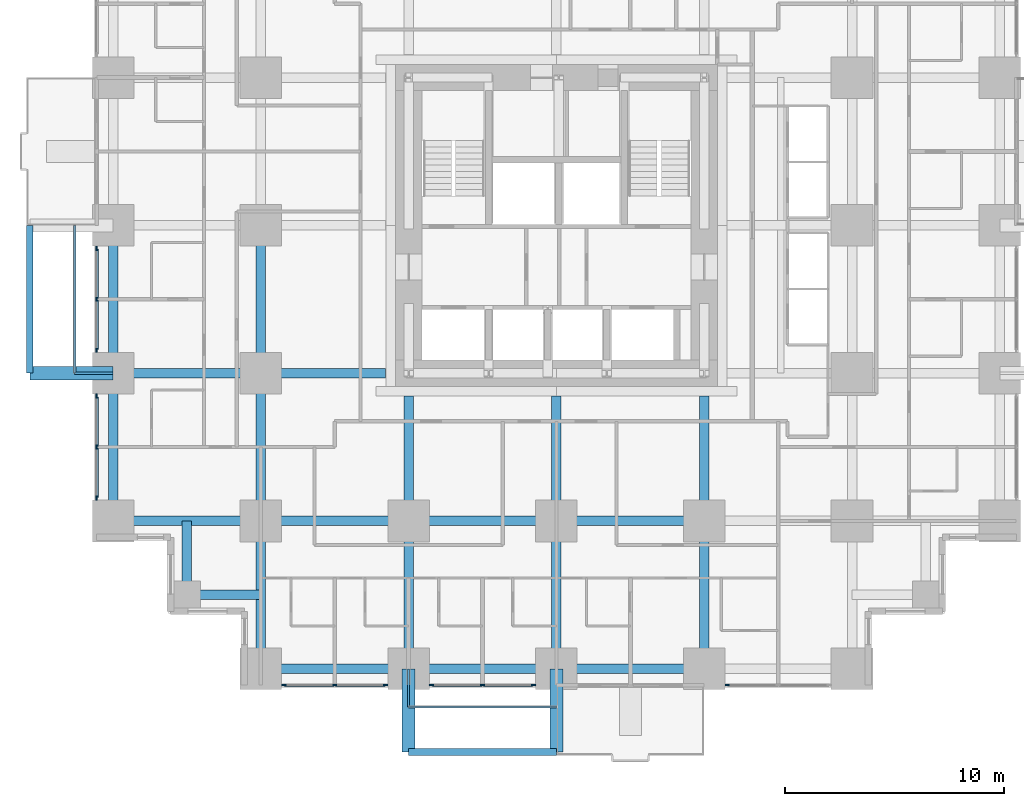
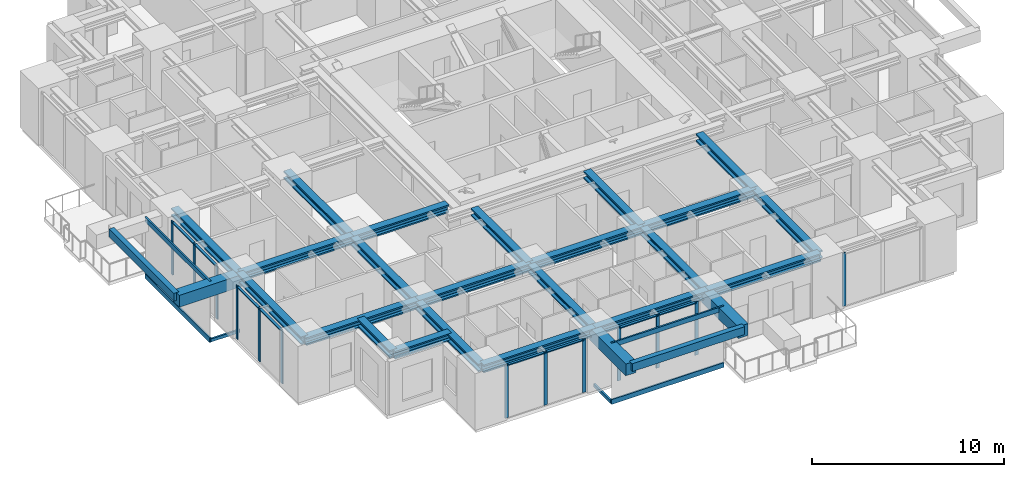
# One storey, part 2 of 14: 27 beams, 27 members, 5 elements without a shape of their own.
"""IFC4 building model written with IfcOpenShell, lengths in metres."""

from ifc_helpers import new_model, si_unit, direction, frame, origin, origin_2d, place, context, subcontext, project, spatial, rectangle, hollow_rectangle, i_section, extrude, material, material_profile, profile_set, type_object, element, aggregate, save


model = new_model("IFC4")

# Units and contexts
model_context = context("Model", 3, precision=1e-05, world=origin(), true_north=direction((0.0, 1.0)))
body_context = subcontext(model_context, "Body", "Model", "MODEL_VIEW")
ifc_project = project(units=[si_unit("LENGTHUNIT", "METRE"), si_unit("AREAUNIT", "SQUARE_METRE"), si_unit("VOLUMEUNIT", "CUBIC_METRE"), si_unit("PLANEANGLEUNIT", "RADIAN"), si_unit("MASSUNIT", "GRAM", prefix="KILO")], contexts=[model_context])

# Site, building, storey
site_placement = place(None, origin())
site = spatial("IfcSite", under=ifc_project, at=site_placement, CompositionType="ELEMENT")
building_placement = place(site_placement, origin())
building = spatial("IfcBuilding", under=site, at=building_placement, Name="Nyansa Garden Tower", CompositionType="ELEMENT")
storey_placement = place(building_placement, frame((0.0, 0.0, 21.60009765625)))
storey = spatial("IfcBuildingStorey", under=building, at=storey_placement, Name="L05", CompositionType="ELEMENT", Elevation=21.60009765625)

# Beams
ifc_material_1 = material(Name="Concrete C70/85", Category="concrete")
ifc_material_profile_1 = material_profile(ifc_material_1, rectangle(XDim=0.60009765625, YDim=0.75, at=origin_2d()), Name="RC 600x750")
ifc_profile_set_1 = profile_set([ifc_material_profile_1], Name="Concrete C70/85")
beam_type_1 = type_object("IfcBeamType", Name="Balcony cantilever beam CB1 RC 600x750", PredefinedType="BEAM", material=ifc_profile_set_1)
for number, where, z_axis, x_axis, name in (
    (1, (13.5, 0.0, 2.98486328125), (0.0, -1.0, 0.0), (1.0, 0.0, 0.0), "Balcony cantilever beam L06"),
    (2, (20.25, 0.0, 2.98486328125), (0.0, -1.0, 0.0), (1.0, 0.0, 0.0), "Balcony cantilever beam L06"),
    (3, (0.0, 13.5, 2.98486328125), (-1.0, 0.0, 0.0), (0.0, -1.0, 0.0), "Balcony cantilever beam L06"),
):
    element("IfcBeam", number, at=place(storey_placement, frame(where, z_axis=z_axis, x_axis=x_axis)), inside=storey, type_object=beam_type_1, Name=name, PredefinedType="BEAM", context=body_context, shape_type="SweptSolid", body=[
        extrude(rectangle(XDim=0.60009765625, YDim=0.75, at=origin_2d()), origin(), (0.0, 0.0, 1.0), 3.800048828125),
    ])
ifc_material_2 = material(Name="Concrete C70/85", Category="concrete")
ifc_material_profile_2 = material_profile(ifc_material_2, rectangle(XDim=0.300048828125, YDim=0.5, at=origin_2d()), Name="RC 300x500")
ifc_profile_set_2 = profile_set([ifc_material_profile_2], Name="Concrete C70/85")
beam_type_2 = type_object("IfcBeamType", Name="Balcony edge beam BE1 RC 300x500", PredefinedType="BEAM", material=ifc_profile_set_2)
for number, where, z_axis, x_axis, name in (
    (4, (13.5, -3.800048828125, 3.10986328125), (1.0, 0.0, 0.0), (0.0, 1.0, 0.0), "Balcony edge beam L06"),
    (5, (-3.800048828125, 13.5, 3.10986328125), (0.0, 1.0, 0.0), (-1.0, 0.0, 0.0), "Balcony edge beam L06"),
):
    element("IfcBeam", number, at=place(storey_placement, frame(where, z_axis=z_axis, x_axis=x_axis)), inside=storey, type_object=beam_type_2, Name=name, PredefinedType="BEAM", context=body_context, shape_type="SweptSolid", body=[
        extrude(rectangle(XDim=0.300048828125, YDim=0.5, at=origin_2d()), origin(), (0.0, 0.0, 1.0), 6.75),
    ])

# Curtain wall, members
ifc_material_3 = material(Name="Black anodised aluminium, dark tinted double glazing", Category="aluminium")
curtain_wall_type = type_object("IfcCurtainWallType", Name="Inner skin curtain wall ISW-A", PredefinedType="USERDEFINED", material=ifc_material_3)
curtain_wall_1_placement = place(storey_placement, origin())
curtain_wall_1 = element("IfcCurtainWall", 6, at=curtain_wall_1_placement, inside=storey, type_object=curtain_wall_type, Name="Inner skin curtain wall L05 W", ObjectType="UNITISED CURTAIN WALL", PredefinedType="USERDEFINED")
ifc_material_4 = material(Name="Black anodised aluminium", Category="aluminium")
ifc_material_profile_3 = material_profile(ifc_material_4, rectangle(XDim=0.06494140625, YDim=0.199951171875, at=origin_2d()), Name="Mullion 200x65")
ifc_profile_set_3 = profile_set([ifc_material_profile_3], Name="Black anodised aluminium")
member_type_1 = type_object("IfcMemberType", Name="Mullion ISW-A 200x65", PredefinedType="MULLION", material=ifc_profile_set_3)
member_1_placement = place(storey_placement, frame((-0.75, 19.199951171875, 0.0), z_axis=(0.0, 0.0, 1.0), x_axis=(1.0, 0.0, 0.0)))
member_1 = element("IfcMember", 7, at=member_1_placement, type_object=member_type_1, Name="ISW-A mullion 1", PredefinedType="MULLION", context=body_context, shape_type="SweptSolid", body=[
    extrude(rectangle(XDim=0.06494140625, YDim=0.199951171875, at=origin_2d()), origin(), (0.0, 0.0, 1.0), 3.375),
])
member_2_placement = place(storey_placement, frame((-0.75, 16.875, 0.0), z_axis=(0.0, 0.0, 1.0), x_axis=(1.0, 0.0, 0.0)))
member_2 = element("IfcMember", 8, at=member_2_placement, type_object=member_type_1, Name="ISW-A mullion 2", PredefinedType="MULLION", context=body_context, shape_type="SweptSolid", body=[
    extrude(rectangle(XDim=0.06494140625, YDim=0.199951171875, at=origin_2d()), origin(), (0.0, 0.0, 1.0), 3.375),
])
member_3_placement = place(storey_placement, frame((-0.75, 14.550048828125, 0.0), z_axis=(0.0, 0.0, 1.0), x_axis=(1.0, 0.0, 0.0)))
member_3 = element("IfcMember", 9, at=member_3_placement, type_object=member_type_1, Name="ISW-A mullion 3", PredefinedType="MULLION", context=body_context, shape_type="SweptSolid", body=[
    extrude(rectangle(XDim=0.06494140625, YDim=0.199951171875, at=origin_2d()), origin(), (0.0, 0.0, 1.0), 3.375),
])

curtain_wall_2_placement = place(storey_placement, origin())
curtain_wall_2 = element("IfcCurtainWall", 10, at=curtain_wall_2_placement, inside=storey, type_object=curtain_wall_type, Name="Inner skin curtain wall L05 W", ObjectType="UNITISED CURTAIN WALL", PredefinedType="USERDEFINED")
member_4_placement = place(storey_placement, frame((-0.75, 12.449951171875, 0.0), z_axis=(0.0, 0.0, 1.0), x_axis=(1.0, 0.0, 0.0)))
member_4 = element("IfcMember", 11, at=member_4_placement, type_object=member_type_1, Name="ISW-A mullion 1", PredefinedType="MULLION", context=body_context, shape_type="SweptSolid", body=[
    extrude(rectangle(XDim=0.06494140625, YDim=0.199951171875, at=origin_2d()), origin(), (0.0, 0.0, 1.0), 3.375),
])
member_5_placement = place(storey_placement, frame((-0.75, 10.125, 0.0), z_axis=(0.0, 0.0, 1.0), x_axis=(1.0, 0.0, 0.0)))
member_5 = element("IfcMember", 12, at=member_5_placement, type_object=member_type_1, Name="ISW-A mullion 2", PredefinedType="MULLION", context=body_context, shape_type="SweptSolid", body=[
    extrude(rectangle(XDim=0.06494140625, YDim=0.199951171875, at=origin_2d()), origin(), (0.0, 0.0, 1.0), 3.375),
])
member_6_placement = place(storey_placement, frame((-0.75, 7.800048828125, 0.0), z_axis=(0.0, 0.0, 1.0), x_axis=(1.0, 0.0, 0.0)))
member_6 = element("IfcMember", 13, at=member_6_placement, type_object=member_type_1, Name="ISW-A mullion 3", PredefinedType="MULLION", context=body_context, shape_type="SweptSolid", body=[
    extrude(rectangle(XDim=0.06494140625, YDim=0.199951171875, at=origin_2d()), origin(), (0.0, 0.0, 1.0), 3.375),
])

curtain_wall_3_placement = place(storey_placement, origin())
curtain_wall_3 = element("IfcCurtainWall", 14, at=curtain_wall_3_placement, inside=storey, type_object=curtain_wall_type, Name="Inner skin curtain wall L05 S", ObjectType="UNITISED CURTAIN WALL", PredefinedType="USERDEFINED")
member_7_placement = place(storey_placement, frame((7.800048828125, -0.75, 0.0), z_axis=(0.0, 0.0, 1.0), x_axis=(0.0, 1.0, 0.0)))
member_7 = element("IfcMember", 15, at=member_7_placement, type_object=member_type_1, Name="ISW-A mullion 1", PredefinedType="MULLION", context=body_context, shape_type="SweptSolid", body=[
    extrude(rectangle(XDim=0.06494140625, YDim=0.199951171875, at=origin_2d()), origin(), (0.0, 0.0, 1.0), 3.375),
])
member_8_placement = place(storey_placement, frame((10.125, -0.75, 0.0), z_axis=(0.0, 0.0, 1.0), x_axis=(0.0, 1.0, 0.0)))
member_8 = element("IfcMember", 16, at=member_8_placement, type_object=member_type_1, Name="ISW-A mullion 2", PredefinedType="MULLION", context=body_context, shape_type="SweptSolid", body=[
    extrude(rectangle(XDim=0.06494140625, YDim=0.199951171875, at=origin_2d()), origin(), (0.0, 0.0, 1.0), 3.375),
])
member_9_placement = place(storey_placement, frame((12.449951171875, -0.75, 0.0), z_axis=(0.0, 0.0, 1.0), x_axis=(0.0, 1.0, 0.0)))
member_9 = element("IfcMember", 17, at=member_9_placement, type_object=member_type_1, Name="ISW-A mullion 3", PredefinedType="MULLION", context=body_context, shape_type="SweptSolid", body=[
    extrude(rectangle(XDim=0.06494140625, YDim=0.199951171875, at=origin_2d()), origin(), (0.0, 0.0, 1.0), 3.375),
])

curtain_wall_4_placement = place(storey_placement, origin())
curtain_wall_4 = element("IfcCurtainWall", 18, at=curtain_wall_4_placement, inside=storey, type_object=curtain_wall_type, Name="Inner skin curtain wall L05 S", ObjectType="UNITISED CURTAIN WALL", PredefinedType="USERDEFINED")
member_10_placement = place(storey_placement, frame((14.550048828125, -0.75, 0.0), z_axis=(0.0, 0.0, 1.0), x_axis=(0.0, 1.0, 0.0)))
member_10 = element("IfcMember", 19, at=member_10_placement, type_object=member_type_1, Name="ISW-A mullion 1", PredefinedType="MULLION", context=body_context, shape_type="SweptSolid", body=[
    extrude(rectangle(XDim=0.06494140625, YDim=0.199951171875, at=origin_2d()), origin(), (0.0, 0.0, 1.0), 3.375),
])
member_11_placement = place(storey_placement, frame((16.875, -0.75, 0.0), z_axis=(0.0, 0.0, 1.0), x_axis=(0.0, 1.0, 0.0)))
member_11 = element("IfcMember", 20, at=member_11_placement, type_object=member_type_1, Name="ISW-A mullion 2", PredefinedType="MULLION", context=body_context, shape_type="SweptSolid", body=[
    extrude(rectangle(XDim=0.06494140625, YDim=0.199951171875, at=origin_2d()), origin(), (0.0, 0.0, 1.0), 3.375),
])
member_12_placement = place(storey_placement, frame((19.199951171875, -0.75, 0.0), z_axis=(0.0, 0.0, 1.0), x_axis=(0.0, 1.0, 0.0)))
member_12 = element("IfcMember", 21, at=member_12_placement, type_object=member_type_1, Name="ISW-A mullion 3", PredefinedType="MULLION", context=body_context, shape_type="SweptSolid", body=[
    extrude(rectangle(XDim=0.06494140625, YDim=0.199951171875, at=origin_2d()), origin(), (0.0, 0.0, 1.0), 3.375),
])

# Curtain wall, member
curtain_wall_5_placement = place(storey_placement, origin())
curtain_wall_5 = element("IfcCurtainWall", 22, at=curtain_wall_5_placement, inside=storey, type_object=curtain_wall_type, Name="Inner skin curtain wall L05 S", ObjectType="UNITISED CURTAIN WALL", PredefinedType="USERDEFINED")
member_13_placement = place(storey_placement, frame((28.050048828125, -0.75, 0.0), z_axis=(0.0, 0.0, 1.0), x_axis=(0.0, 1.0, 0.0)))
member_13 = element("IfcMember", 23, at=member_13_placement, type_object=member_type_1, Name="ISW-A mullion 1", PredefinedType="MULLION", context=body_context, shape_type="SweptSolid", body=[
    extrude(rectangle(XDim=0.06494140625, YDim=0.199951171875, at=origin_2d()), origin(), (0.0, 0.0, 1.0), 3.375),
])
aggregate(curtain_wall_5, [member_13])

# Members
ifc_material_5 = material(Name="Steel S355, black powder coated", Category="steel")
ifc_material_profile_4 = material_profile(ifc_material_5, hollow_rectangle(XDim=0.10009765625, YDim=0.199951171875, WallThickness=0.008056640625, at=origin_2d()), Name="RHS 200x100x8")
ifc_profile_set_4 = profile_set([ifc_material_profile_4], Name="Steel S355, black powder coated")
member_type_2 = type_object("IfcMemberType", Name="Outer skin bracket arm RHS 200x100x8", PredefinedType="USERDEFINED", material=ifc_profile_set_4)
for number, where, z_axis, x_axis, name in (
    (24, (0.0, 13.5, -0.375), (-1.0, 0.0, 0.0), (0.0, -1.0, 0.0), "Outer skin bracket arm"),
    (25, (13.5, 0.0, -0.375), (0.0, -1.0, 0.0), (1.0, 0.0, 0.0), "Outer skin bracket arm"),
):
    element("IfcMember", number, at=place(storey_placement, frame(where, z_axis=z_axis, x_axis=x_axis)), inside=storey, type_object=member_type_2, Name=name, ObjectType="OUTER SKIN BRACKET", PredefinedType="USERDEFINED", context=body_context, shape_type="SweptSolid", body=[
        extrude(hollow_rectangle(XDim=0.10009765625, YDim=0.199951171875, WallThickness=0.008056640625, at=origin_2d()), origin(), (0.0, 0.0, 1.0), 1.75),
    ])
ifc_material_6 = material(Name="Steel S355, black powder coated", Category="steel")
ifc_material_profile_5 = material_profile(ifc_material_6, hollow_rectangle(XDim=0.10009765625, YDim=0.300048828125, WallThickness=0.010009765625, at=origin_2d()), Name="RHS 300x100x10")
ifc_profile_set_5 = profile_set([ifc_material_profile_5], Name="Steel S355, black powder coated")
member_type_3 = type_object("IfcMemberType", Name="Outer skin rail RHS 300x100x10", PredefinedType="USERDEFINED", material=ifc_profile_set_5)
for number, where, z_axis, x_axis, name in (
    (26, (-1.75, 13.5, -0.375), (0.0, 1.0, 0.0), (-1.0, 0.0, 0.0), "Outer skin rail L05"),
    (27, (-1.75, 13.5, 3.224853515625), (0.0, 1.0, 0.0), (-1.0, 0.0, 0.0), "Outer skin rail L05 head"),
    (28, (13.5, -1.75, -0.375), (1.0, 0.0, 0.0), (0.0, 1.0, 0.0), "Outer skin rail L05"),
    (29, (13.5, -1.75, 3.224853515625), (1.0, 0.0, 0.0), (0.0, 1.0, 0.0), "Outer skin rail L05 head"),
):
    element("IfcMember", number, at=place(storey_placement, frame(where, z_axis=z_axis, x_axis=x_axis)), inside=storey, type_object=member_type_3, Name=name, ObjectType="OUTER SKIN RAIL", PredefinedType="USERDEFINED", context=body_context, shape_type="SweptSolid", body=[
        extrude(hollow_rectangle(XDim=0.10009765625, YDim=0.300048828125, WallThickness=0.010009765625, at=origin_2d()), origin(), (0.0, 0.0, 1.0), 6.75),
    ])

# Beams
ifc_material_7 = material(Name="Steel S355", Category="steel")
ifc_material_profile_6 = material_profile(ifc_material_7, i_section(OverallWidth=0.431884765625, OverallDepth=0.498046875, WebThickness=0.0556640625, FlangeThickness=0.0888671875, FilletRadius=0.014892578125, at=origin_2d()), Name="HD 400x744")
ifc_profile_set_6 = profile_set([ifc_material_profile_6], Name="Steel S355")
beam_type_3 = type_object("IfcBeamType", Name="Steel beam SBA1-744 HD 400x744", PredefinedType="BEAM", material=ifc_profile_set_6)
for number, where, z_axis, x_axis, name in (
    (30, (0.0, 6.75, 3.1259765625), (1.0, 0.0, 0.0), (0.0, 1.0, 0.0), "Steel beam 2/E-3/E L06"),
    (31, (0.0, 13.5, 3.1259765625), (1.0, 0.0, 0.0), (0.0, 1.0, 0.0), "Steel beam 2/F-3/F L06"),
    (32, (6.75, 0.0, 3.1259765625), (0.0, 1.0, 0.0), (-1.0, 0.0, 0.0), "Steel beam 3/D-3/E L06"),
    (33, (6.75, 6.75, 3.1259765625), (0.0, 1.0, 0.0), (-1.0, 0.0, 0.0), "Steel beam 3/E-3/F L06"),
    (34, (6.75, 6.75, 3.1259765625), (1.0, 0.0, 0.0), (0.0, 1.0, 0.0), "Steel beam 3/E-4/E L06"),
    (35, (6.75, 13.5, 3.1259765625), (0.0, 1.0, 0.0), (-1.0, 0.0, 0.0), "Steel beam 3/F-3/G L06"),
):
    element("IfcBeam", number, at=place(storey_placement, frame(where, z_axis=z_axis, x_axis=x_axis)), inside=storey, type_object=beam_type_3, Name=name, PredefinedType="BEAM", context=body_context, shape_type="SweptSolid", body=[
        extrude(i_section(OverallWidth=0.431884765625, OverallDepth=0.498046875, WebThickness=0.0556640625, FlangeThickness=0.0888671875, FilletRadius=0.014892578125, at=origin_2d()), origin(), (0.0, 0.0, 1.0), 6.75),
    ])
beam_1_placement = place(storey_placement, frame((6.75, 13.5, 3.1259765625), z_axis=(1.0, 0.0, 0.0), x_axis=(0.0, 1.0, 0.0)))
element("IfcBeam", 36, at=beam_1_placement, inside=storey, type_object=beam_type_3, Name="Steel beam 3/F-12.450/F L06", PredefinedType="BEAM", context=body_context, shape_type="SweptSolid", body=[
    extrude(i_section(OverallWidth=0.431884765625, OverallDepth=0.498046875, WebThickness=0.0556640625, FlangeThickness=0.0888671875, FilletRadius=0.014892578125, at=origin_2d()), origin(), (0.0, 0.0, 1.0), 5.699951171875),
])
beam_2_placement = place(storey_placement, frame((13.5, 0.0, 3.1259765625), z_axis=(0.0, 1.0, 0.0), x_axis=(-1.0, 0.0, 0.0)))
element("IfcBeam", 37, at=beam_2_placement, inside=storey, type_object=beam_type_3, Name="Steel beam 4/D-4/E L06", PredefinedType="BEAM", context=body_context, shape_type="SweptSolid", body=[
    extrude(i_section(OverallWidth=0.431884765625, OverallDepth=0.498046875, WebThickness=0.0556640625, FlangeThickness=0.0888671875, FilletRadius=0.014892578125, at=origin_2d()), origin(), (0.0, 0.0, 1.0), 6.75),
])
beam_3_placement = place(storey_placement, frame((13.5, 6.75, 3.1259765625), z_axis=(0.0, 1.0, 0.0), x_axis=(-1.0, 0.0, 0.0)))
element("IfcBeam", 38, at=beam_3_placement, inside=storey, type_object=beam_type_3, Name="Steel beam 4/E-4/12.450 L06", PredefinedType="BEAM", context=body_context, shape_type="SweptSolid", body=[
    extrude(i_section(OverallWidth=0.431884765625, OverallDepth=0.498046875, WebThickness=0.0556640625, FlangeThickness=0.0888671875, FilletRadius=0.014892578125, at=origin_2d()), origin(), (0.0, 0.0, 1.0), 5.699951171875),
])
for number, where, z_axis, x_axis, name in (
    (39, (13.5, 6.75, 3.1259765625), (1.0, 0.0, 0.0), (0.0, 1.0, 0.0), "Steel beam 4/E-5/E L06"),
    (40, (20.25, 0.0, 3.1259765625), (0.0, 1.0, 0.0), (-1.0, 0.0, 0.0), "Steel beam 5/D-5/E L06"),
):
    element("IfcBeam", number, at=place(storey_placement, frame(where, z_axis=z_axis, x_axis=x_axis)), inside=storey, type_object=beam_type_3, Name=name, PredefinedType="BEAM", context=body_context, shape_type="SweptSolid", body=[
        extrude(i_section(OverallWidth=0.431884765625, OverallDepth=0.498046875, WebThickness=0.0556640625, FlangeThickness=0.0888671875, FilletRadius=0.014892578125, at=origin_2d()), origin(), (0.0, 0.0, 1.0), 6.75),
    ])
beam_4_placement = place(storey_placement, frame((20.25, 6.75, 3.1259765625), z_axis=(0.0, 1.0, 0.0), x_axis=(-1.0, 0.0, 0.0)))
element("IfcBeam", 41, at=beam_4_placement, inside=storey, type_object=beam_type_3, Name="Steel beam 5/E-5/12.450 L06", PredefinedType="BEAM", context=body_context, shape_type="SweptSolid", body=[
    extrude(i_section(OverallWidth=0.431884765625, OverallDepth=0.498046875, WebThickness=0.0556640625, FlangeThickness=0.0888671875, FilletRadius=0.014892578125, at=origin_2d()), origin(), (0.0, 0.0, 1.0), 5.699951171875),
])
for number, where, z_axis, x_axis, name in (
    (42, (20.25, 6.75, 3.1259765625), (1.0, 0.0, 0.0), (0.0, 1.0, 0.0), "Steel beam 5/E-6/E L06"),
    (43, (27.0, 0.0, 3.1259765625), (0.0, 1.0, 0.0), (-1.0, 0.0, 0.0), "Steel beam 6/D-6/E L06"),
):
    element("IfcBeam", number, at=place(storey_placement, frame(where, z_axis=z_axis, x_axis=x_axis)), inside=storey, type_object=beam_type_3, Name=name, PredefinedType="BEAM", context=body_context, shape_type="SweptSolid", body=[
        extrude(i_section(OverallWidth=0.431884765625, OverallDepth=0.498046875, WebThickness=0.0556640625, FlangeThickness=0.0888671875, FilletRadius=0.014892578125, at=origin_2d()), origin(), (0.0, 0.0, 1.0), 6.75),
    ])
beam_5_placement = place(storey_placement, frame((27.0, 6.75, 3.1259765625), z_axis=(0.0, 1.0, 0.0), x_axis=(-1.0, 0.0, 0.0)))
element("IfcBeam", 44, at=beam_5_placement, inside=storey, type_object=beam_type_3, Name="Steel beam 6/E-6/12.450 L06", PredefinedType="BEAM", context=body_context, shape_type="SweptSolid", body=[
    extrude(i_section(OverallWidth=0.431884765625, OverallDepth=0.498046875, WebThickness=0.0556640625, FlangeThickness=0.0888671875, FilletRadius=0.014892578125, at=origin_2d()), origin(), (0.0, 0.0, 1.0), 5.699951171875),
])
ifc_material_8 = material(Name="Steel S355", Category="steel")
ifc_material_profile_7 = material_profile(ifc_material_8, i_section(OverallWidth=0.431884765625, OverallDepth=0.498046875, WebThickness=0.0556640625, FlangeThickness=0.0888671875, FilletRadius=0.014892578125, at=origin_2d()), Name="HD 400x744")
ifc_profile_set_7 = profile_set([ifc_material_profile_7], Name="Steel S355")
beam_type_4 = type_object("IfcBeamType", Name="Steel beam SEBA-744 HD 400x744", PredefinedType="BEAM", material=ifc_profile_set_7)
for number, where, z_axis, x_axis, name in (
    (45, (0.0, 6.75, 3.1259765625), (0.0, 1.0, 0.0), (-1.0, 0.0, 0.0), "Steel edge beam 2/E-2/F L06"),
    (46, (0.0, 13.5, 3.1259765625), (0.0, 1.0, 0.0), (-1.0, 0.0, 0.0), "Steel edge beam 2/F-2/G L06"),
    (47, (6.75, 0.0, 3.1259765625), (1.0, 0.0, 0.0), (0.0, 1.0, 0.0), "Steel edge beam 3/D-4/D L06"),
    (48, (13.5, 0.0, 3.1259765625), (1.0, 0.0, 0.0), (0.0, 1.0, 0.0), "Steel edge beam 4/D-5/D L06"),
    (49, (20.25, 0.0, 3.1259765625), (1.0, 0.0, 0.0), (0.0, 1.0, 0.0), "Steel edge beam 5/D-6/D L06"),
):
    element("IfcBeam", number, at=place(storey_placement, frame(where, z_axis=z_axis, x_axis=x_axis)), inside=storey, type_object=beam_type_4, Name=name, PredefinedType="BEAM", context=body_context, shape_type="SweptSolid", body=[
        extrude(i_section(OverallWidth=0.431884765625, OverallDepth=0.498046875, WebThickness=0.0556640625, FlangeThickness=0.0888671875, FilletRadius=0.014892578125, at=origin_2d()), origin(), (0.0, 0.0, 1.0), 6.75),
    ])
ifc_material_9 = material(Name="Steel S355", Category="steel")
ifc_material_profile_8 = material_profile(ifc_material_9, i_section(OverallWidth=0.431884765625, OverallDepth=0.498046875, WebThickness=0.0556640625, FlangeThickness=0.0888671875, FilletRadius=0.014892578125, at=origin_2d()), Name="HD 400x744")
ifc_profile_set_8 = profile_set([ifc_material_profile_8], Name="Steel S355")
beam_type_5 = type_object("IfcBeamType", Name="Steel beam SSB1-744 HD 400x744", PredefinedType="BEAM", material=ifc_profile_set_8)
for number, where, z_axis, x_axis, name in (
    (50, (3.375, 3.375, 3.1259765625), (0.0, 1.0, 0.0), (-1.0, 0.0, 0.0), "Steel step beam 3.375/3.375 L06"),
    (51, (3.375, 3.375, 3.1259765625), (1.0, 0.0, 0.0), (0.0, 1.0, 0.0), "Steel step beam 3.375/3.375 L06"),
):
    element("IfcBeam", number, at=place(storey_placement, frame(where, z_axis=z_axis, x_axis=x_axis)), inside=storey, type_object=beam_type_5, Name=name, PredefinedType="BEAM", context=body_context, shape_type="SweptSolid", body=[
        extrude(i_section(OverallWidth=0.431884765625, OverallDepth=0.498046875, WebThickness=0.0556640625, FlangeThickness=0.0888671875, FilletRadius=0.014892578125, at=origin_2d()), origin(), (0.0, 0.0, 1.0), 3.375),
    ])

# Member
ifc_material_10 = material(Name="Black anodised aluminium", Category="aluminium")
ifc_material_profile_9 = material_profile(ifc_material_10, rectangle(XDim=0.14990234375, YDim=0.06494140625, at=origin_2d()), Name="Transom 150x65")
ifc_profile_set_9 = profile_set([ifc_material_profile_9], Name="Black anodised aluminium")
member_type_4 = type_object("IfcMemberType", Name="Transom ISW-A 150x65", PredefinedType="USERDEFINED", material=ifc_profile_set_9)
member_14_placement = place(storey_placement, frame((-0.75, 19.16748046875, 3.34228515625), z_axis=(0.0, -1.0, 0.0), x_axis=(1.0, 0.0, 0.0)))
member_14 = element("IfcMember", 52, at=member_14_placement, type_object=member_type_4, Name="ISW-A transom 1", ObjectType="TRANSOM", PredefinedType="USERDEFINED", context=body_context, shape_type="SweptSolid", body=[
    extrude(rectangle(XDim=0.14990234375, YDim=0.06494140625, at=origin_2d()), origin(), (0.0, 0.0, 1.0), 2.260009765625),
])

member_15_placement = place(storey_placement, frame((-0.75, 16.842529296875, 3.34228515625), z_axis=(0.0, -1.0, 0.0), x_axis=(1.0, 0.0, 0.0)))
member_15 = element("IfcMember", 53, at=member_15_placement, type_object=member_type_4, Name="ISW-A transom 2", ObjectType="TRANSOM", PredefinedType="USERDEFINED", context=body_context, shape_type="SweptSolid", body=[
    extrude(rectangle(XDim=0.14990234375, YDim=0.06494140625, at=origin_2d()), origin(), (0.0, 0.0, 1.0), 2.260009765625),
])

aggregate(curtain_wall_1, [member_1, member_2, member_3, member_14, member_15])

member_16_placement = place(storey_placement, frame((-0.75, 12.41748046875, 3.34228515625), z_axis=(0.0, -1.0, 0.0), x_axis=(1.0, 0.0, 0.0)))
member_16 = element("IfcMember", 54, at=member_16_placement, type_object=member_type_4, Name="ISW-A transom 1", ObjectType="TRANSOM", PredefinedType="USERDEFINED", context=body_context, shape_type="SweptSolid", body=[
    extrude(rectangle(XDim=0.14990234375, YDim=0.06494140625, at=origin_2d()), origin(), (0.0, 0.0, 1.0), 2.260009765625),
])

member_17_placement = place(storey_placement, frame((-0.75, 10.092529296875, 3.34228515625), z_axis=(0.0, -1.0, 0.0), x_axis=(1.0, 0.0, 0.0)))
member_17 = element("IfcMember", 55, at=member_17_placement, type_object=member_type_4, Name="ISW-A transom 2", ObjectType="TRANSOM", PredefinedType="USERDEFINED", context=body_context, shape_type="SweptSolid", body=[
    extrude(rectangle(XDim=0.14990234375, YDim=0.06494140625, at=origin_2d()), origin(), (0.0, 0.0, 1.0), 2.260009765625),
])

aggregate(curtain_wall_2, [member_4, member_5, member_6, member_16, member_17])

member_18_placement = place(storey_placement, frame((7.83251953125, -0.75, 3.34228515625), z_axis=(1.0, 0.0, 0.0), x_axis=(0.0, 1.0, 0.0)))
member_18 = element("IfcMember", 56, at=member_18_placement, type_object=member_type_4, Name="ISW-A transom 1", ObjectType="TRANSOM", PredefinedType="USERDEFINED", context=body_context, shape_type="SweptSolid", body=[
    extrude(rectangle(XDim=0.14990234375, YDim=0.06494140625, at=origin_2d()), origin(), (0.0, 0.0, 1.0), 2.260009765625),
])

member_19_placement = place(storey_placement, frame((10.157470703125, -0.75, 3.34228515625), z_axis=(1.0, 0.0, 0.0), x_axis=(0.0, 1.0, 0.0)))
member_19 = element("IfcMember", 57, at=member_19_placement, type_object=member_type_4, Name="ISW-A transom 2", ObjectType="TRANSOM", PredefinedType="USERDEFINED", context=body_context, shape_type="SweptSolid", body=[
    extrude(rectangle(XDim=0.14990234375, YDim=0.06494140625, at=origin_2d()), origin(), (0.0, 0.0, 1.0), 2.260009765625),
])

aggregate(curtain_wall_3, [member_7, member_8, member_9, member_18, member_19])

member_20_placement = place(storey_placement, frame((14.58251953125, -0.75, 3.34228515625), z_axis=(1.0, 0.0, 0.0), x_axis=(0.0, 1.0, 0.0)))
member_20 = element("IfcMember", 58, at=member_20_placement, type_object=member_type_4, Name="ISW-A transom 1", ObjectType="TRANSOM", PredefinedType="USERDEFINED", context=body_context, shape_type="SweptSolid", body=[
    extrude(rectangle(XDim=0.14990234375, YDim=0.06494140625, at=origin_2d()), origin(), (0.0, 0.0, 1.0), 2.260009765625),
])

member_21_placement = place(storey_placement, frame((16.907470703125, -0.75, 3.34228515625), z_axis=(1.0, 0.0, 0.0), x_axis=(0.0, 1.0, 0.0)))
member_21 = element("IfcMember", 59, at=member_21_placement, type_object=member_type_4, Name="ISW-A transom 2", ObjectType="TRANSOM", PredefinedType="USERDEFINED", context=body_context, shape_type="SweptSolid", body=[
    extrude(rectangle(XDim=0.14990234375, YDim=0.06494140625, at=origin_2d()), origin(), (0.0, 0.0, 1.0), 2.260009765625),
])

aggregate(curtain_wall_4, [member_10, member_11, member_12, member_20, member_21])

save(model, "model.ifc")
